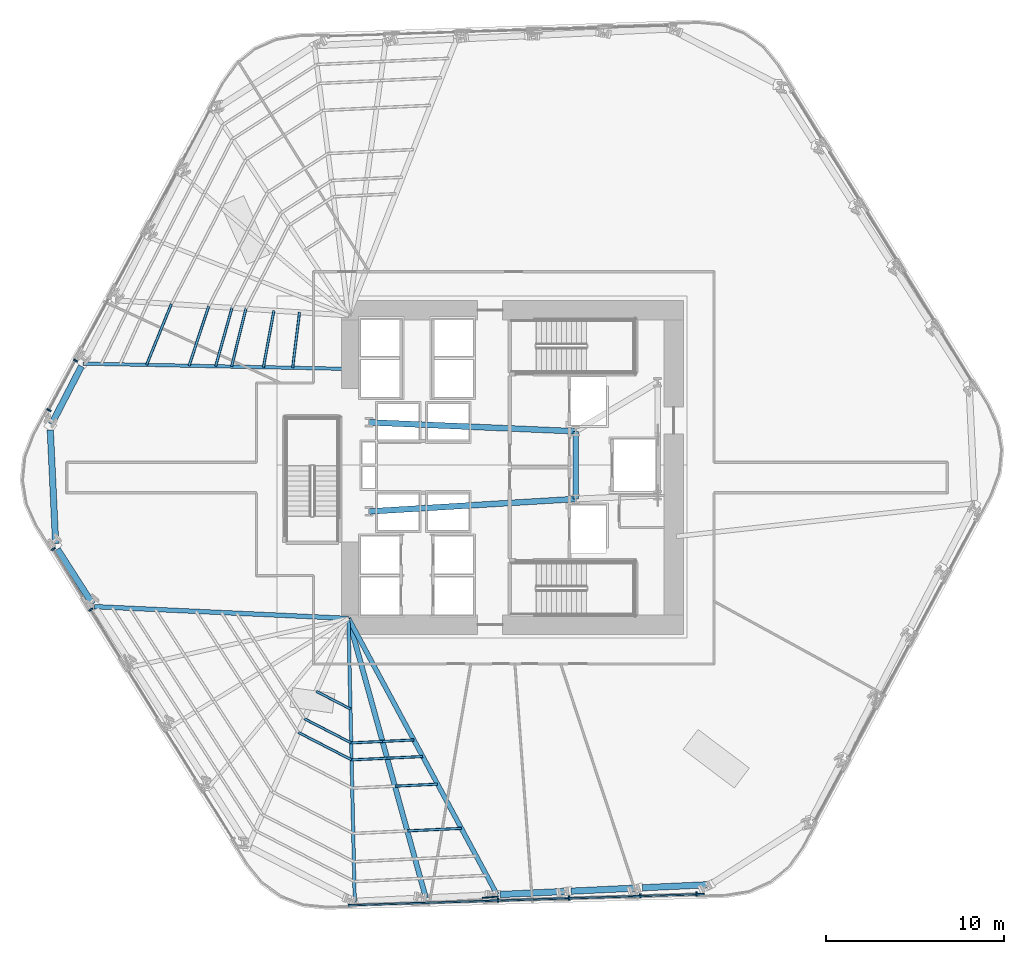
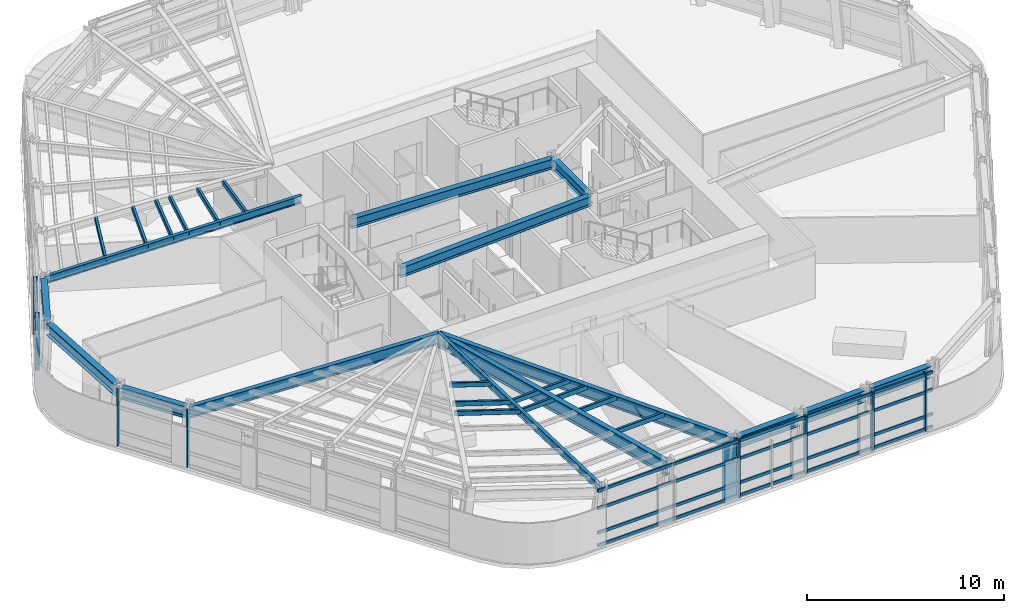
# One storey, part 3 of 15: 28 members, 14 beams, 3 elements without a shape of their own.
"""IFC4 building model written with IfcOpenShell, lengths in metres."""

from ifc_helpers import new_model, si_unit, direction, frame, origin, origin_2d, place, context, subcontext, project, spatial, rectangle, hollow_rectangle, i_section, extrude, material, layer, layer_set, material_profile, profile_set, type_object, element, aggregate, save


model = new_model("IFC4")

# Units and contexts
model_context = context("Model", 3, precision=1e-05, world=origin(), true_north=direction((0.0, 1.0)))
body_context = subcontext(model_context, "Body", "Model", "MODEL_VIEW")
ifc_project = project(units=[si_unit("LENGTHUNIT", "METRE"), si_unit("AREAUNIT", "SQUARE_METRE"), si_unit("VOLUMEUNIT", "CUBIC_METRE"), si_unit("PLANEANGLEUNIT", "RADIAN"), si_unit("MASSUNIT", "GRAM", prefix="KILO")], contexts=[model_context])

# Site, building, storey
site_placement = place(None, origin())
site = spatial("IfcSite", under=ifc_project, at=site_placement, CompositionType="ELEMENT")
building_placement = place(site_placement, origin())
building = spatial("IfcBuilding", under=site, at=building_placement, Name="Valkerne Bourse Tower", CompositionType="ELEMENT")
storey_placement = place(building_placement, frame((0.0, 0.0, 31.60009765625)))
storey = spatial("IfcBuildingStorey", under=building, at=storey_placement, Name="L07", CompositionType="ELEMENT", Elevation=31.60009765625)

# Beams
ifc_material_1 = material(Name="Steel ASTM A992", Category="steel")
ifc_material_profile_1 = material_profile(ifc_material_1, i_section(OverallWidth=0.1904296875, OverallDepth=0.457275390625, WebThickness=0.009033203125, FlangeThickness=0.014404296875, FilletRadius=0.01513671875, at=origin_2d()), Name="W18X50")
ifc_profile_set_1 = profile_set([ifc_material_profile_1], Name="Steel ASTM A992")
beam_type_1 = type_object("IfcBeamType", Name="BM-W18X50", PredefinedType="JOIST", material=ifc_profile_set_1)
beam_1_placement = place(storey_placement, frame((22.6953125, 32.696044921875, 3.351318359375), z_axis=(0.999802670641, -0.01986503914, 0.0), x_axis=(0.01986503914, 0.999802670641, 0.0)))
element("IfcBeam", 1, at=beam_1_placement, inside=storey, type_object=beam_type_1, Name="L07 Radial Composite Floor Beam 16", PredefinedType="JOIST", context=body_context, shape_type="SweptSolid", body=[
    extrude(i_section(OverallWidth=0.1904296875, OverallDepth=0.457275390625, WebThickness=0.009033203125, FlangeThickness=0.014404296875, FilletRadius=0.01513671875, at=origin_2d()), origin(), (0.0, 0.0, 1.0), 14.90771484375),
])
beam_2_placement = place(storey_placement, frame((37.953125, 2.52392578125, 3.351318359375), z_axis=(-0.022231079445, 0.999752859014, 0.0), x_axis=(-0.999752859014, -0.022231079445, 0.0)))
element("IfcBeam", 2, at=beam_2_placement, inside=storey, type_object=beam_type_1, Name="L07 Radial Composite Floor Beam 24", PredefinedType="JOIST", context=body_context, shape_type="SweptSolid", body=[
    extrude(i_section(OverallWidth=0.1904296875, OverallDepth=0.457275390625, WebThickness=0.009033203125, FlangeThickness=0.014404296875, FilletRadius=0.01513671875, at=origin_2d()), origin(), (0.0, 0.0, 1.0), 15.8798828125),
])
ifc_material_profile_2 = material_profile(ifc_material_1, i_section(OverallWidth=0.3251953125, OverallDepth=0.612060546875, WebThickness=0.0126953125, FlangeThickness=0.01904296875, FilletRadius=0.020263671875, at=origin_2d()), Name="W24X104")
ifc_profile_set_2 = profile_set([ifc_material_profile_2], Name="Steel ASTM A992")
beam_type_2 = type_object("IfcBeamType", Name="BM-W24X104", PredefinedType="BEAM", material=ifc_profile_set_2)
beam_3_placement = place(storey_placement, frame((50.35009765625, 25.10009765625, 3.27392578125), z_axis=(0.0, 1.0, 0.0), x_axis=(-1.0, 0.0, 0.0)))
element("IfcBeam", 3, at=beam_3_placement, inside=storey, type_object=beam_type_2, Name="L07 Core Frame Girder CG-CE", PredefinedType="BEAM", context=body_context, shape_type="SweptSolid", body=[
    extrude(i_section(OverallWidth=0.3251953125, OverallDepth=0.612060546875, WebThickness=0.0126953125, FlangeThickness=0.01904296875, FilletRadius=0.020263671875, at=origin_2d()), origin(), (0.0, 0.0, 1.0), 3.7998046875),
])
beam_4_placement = place(storey_placement, frame((38.75, 24.39990234375, 3.27392578125), z_axis=(0.998183228389, 0.060251494276, 0.0), x_axis=(-0.060251494276, 0.998183228389, 0.0)))
element("IfcBeam", 4, at=beam_4_placement, inside=storey, type_object=beam_type_2, Name="L07 Core Frame Girder CG-SW", PredefinedType="BEAM", context=body_context, shape_type="SweptSolid", body=[
    extrude(i_section(OverallWidth=0.3251953125, OverallDepth=0.612060546875, WebThickness=0.0126953125, FlangeThickness=0.01904296875, FilletRadius=0.020263671875, at=origin_2d()), origin(), (0.0, 0.0, 1.0), 11.62109375),
])
beam_5_placement = place(storey_placement, frame((38.75, 29.39990234375, 3.27392578125), z_axis=(0.999072354402, -0.043063101019, 0.0), x_axis=(0.043063101019, 0.999072354402, 0.0)))
element("IfcBeam", 5, at=beam_5_placement, inside=storey, type_object=beam_type_2, Name="L07 Core Frame Girder CG-NW", PredefinedType="BEAM", context=body_context, shape_type="SweptSolid", body=[
    extrude(i_section(OverallWidth=0.3251953125, OverallDepth=0.612060546875, WebThickness=0.0126953125, FlangeThickness=0.01904296875, FilletRadius=0.020263671875, at=origin_2d()), origin(), (0.0, 0.0, 1.0), 11.61083984375),
])
ifc_material_profile_3 = material_profile(ifc_material_1, i_section(OverallWidth=0.255859375, OverallDepth=0.693359375, WebThickness=0.014404296875, FlangeThickness=0.023681640625, FilletRadius=0.02294921875, at=origin_2d()), Name="W27X114")
ifc_profile_set_3 = profile_set([ifc_material_profile_3], Name="Steel ASTM A992")
beam_type_3 = type_object("IfcBeamType", Name="BM-W27X114", PredefinedType="BEAM", material=ifc_profile_set_3)
beam_6_placement = place(storey_placement, frame((23.33837890625, 19.060791015625, 3.233154296875), z_axis=(0.998928026328, -0.046290368517, 0.0), x_axis=(0.046290368517, 0.998928026328, 0.0)))
element("IfcBeam", 6, at=beam_6_placement, inside=storey, type_object=beam_type_3, Name="L07 Radial Composite Floor Beam 19", PredefinedType="BEAM", context=body_context, shape_type="SweptSolid", body=[
    extrude(i_section(OverallWidth=0.255859375, OverallDepth=0.693359375, WebThickness=0.014404296875, FlangeThickness=0.023681640625, FilletRadius=0.02294921875, at=origin_2d()), origin(), (0.0, 0.0, 1.0), 14.277099609375),
])
ifc_material_profile_4 = material_profile(ifc_material_1, i_section(OverallWidth=0.358154296875, OverallDepth=0.7060546875, WebThickness=0.018310546875, FlangeThickness=0.0302734375, FilletRadius=0.02294921875, at=origin_2d()), Name="W27X178")
ifc_profile_set_4 = profile_set([ifc_material_profile_4], Name="Steel ASTM A992")
beam_type_4 = type_object("IfcBeamType", Name="BM-W27X178", PredefinedType="SPANDREL", material=ifc_profile_set_4)
beam_7_placement = place(storey_placement, frame((22.617431640625, 32.544921875, 3.226806640625), z_axis=(-0.458636115682, -0.888624168809, 0.0), x_axis=(0.888624168809, -0.458636115682, 0.0)))
element("IfcBeam", 7, at=beam_7_placement, inside=storey, type_object=beam_type_4, Name="L07 Hexagonal Spandrel Ring Beam 16", PredefinedType="SPANDREL", context=body_context, shape_type="SweptSolid", body=[
    extrude(i_section(OverallWidth=0.358154296875, OverallDepth=0.7060546875, WebThickness=0.018310546875, FlangeThickness=0.0302734375, FilletRadius=0.02294921875, at=origin_2d()), origin(), (0.0, 0.0, 1.0), 3.656005859375),
])
beam_8_placement = place(storey_placement, frame((20.87060546875, 28.975341796875, 3.226806640625), z_axis=(0.047114904717, -0.998889476245, 0.0), x_axis=(0.998889476245, 0.047114904717, 0.0)))
element("IfcBeam", 8, at=beam_8_placement, inside=storey, type_object=beam_type_4, Name="L07 Hexagonal Spandrel Ring Beam 17", PredefinedType="SPANDREL", context=body_context, shape_type="SweptSolid", body=[
    extrude(i_section(OverallWidth=0.358154296875, OverallDepth=0.7060546875, WebThickness=0.018310546875, FlangeThickness=0.0302734375, FilletRadius=0.02294921875, at=origin_2d()), origin(), (0.0, 0.0, 1.0), 6.38916015625),
])
for number, where, z_axis, x_axis, name in (
    (9, (21.271484375, 22.280517578125, 3.226806640625), (0.540224232621, -0.841521109949, 0.0), (0.841521109949, 0.540224232621, 0.0), "L07 Hexagonal Spandrel Ring Beam 18"),
    (10, (46.106201171875, 2.908447265625, 3.226806640625), (0.998891135825, 0.047079706562, 0.0), (-0.047079706562, 0.998891135825, 0.0), "L07 Hexagonal Spandrel Ring Beam 26"),
    (11, (50.09765625, 3.0966796875, 3.226806640625), (0.998891135825, 0.047079706562, 0.0), (-0.047079706562, 0.998891135825, 0.0), "L07 Hexagonal Spandrel Ring Beam 27"),
):
    element("IfcBeam", number, at=place(storey_placement, frame(where, z_axis=z_axis, x_axis=x_axis)), inside=storey, type_object=beam_type_4, Name=name, PredefinedType="SPANDREL", context=body_context, shape_type="SweptSolid", body=[
        extrude(i_section(OverallWidth=0.358154296875, OverallDepth=0.7060546875, WebThickness=0.018310546875, FlangeThickness=0.0302734375, FilletRadius=0.02294921875, at=origin_2d()), origin(), (0.0, 0.0, 1.0), 3.656005859375),
    ])
beam_9_placement = place(storey_placement, frame((54.089111328125, 3.284912109375, 3.226806640625), z_axis=(0.998891283828, 0.047076566288, 0.0), x_axis=(-0.047076566288, 0.998891283828, 0.0)))
element("IfcBeam", 12, at=beam_9_placement, inside=storey, type_object=beam_type_4, Name="L07 Hexagonal Spandrel Ring Beam 28", PredefinedType="SPANDREL", context=body_context, shape_type="SweptSolid", body=[
    extrude(i_section(OverallWidth=0.358154296875, OverallDepth=0.7060546875, WebThickness=0.018310546875, FlangeThickness=0.0302734375, FilletRadius=0.02294921875, at=origin_2d()), origin(), (0.0, 0.0, 1.0), 3.65625),
])
ifc_material_profile_5 = material_profile(ifc_material_1, i_section(OverallWidth=0.26806640625, OverallDepth=0.76953125, WebThickness=0.015625, FlangeThickness=0.025390625, FilletRadius=0.025390625, at=origin_2d()), Name="W30X132")
ifc_profile_set_5 = profile_set([ifc_material_profile_5], Name="Steel ASTM A992")
beam_type_5 = type_object("IfcBeamType", Name="BM-W30X132", PredefinedType="BEAM", material=ifc_profile_set_5)
beam_10_placement = place(storey_placement, frame((45.936279296875, 2.900390625, 3.195068359375), z_axis=(-0.473672078113, 0.880701290118, 0.0), x_axis=(-0.880701290118, -0.473672078113, 0.0)))
element("IfcBeam", 13, at=beam_10_placement, inside=storey, type_object=beam_type_5, Name="L07 Radial Composite Floor Beam 26", PredefinedType="BEAM", context=body_context, shape_type="SweptSolid", body=[
    extrude(i_section(OverallWidth=0.26806640625, OverallDepth=0.76953125, WebThickness=0.015625, FlangeThickness=0.025390625, FilletRadius=0.025390625, at=origin_2d()), origin(), (0.0, 0.0, 1.0), 17.59912109375),
])
ifc_material_profile_6 = material_profile(ifc_material_1, i_section(OverallWidth=0.2919921875, OverallDepth=0.8583984375, WebThickness=0.01708984375, FlangeThickness=0.031005859375, FilletRadius=0.025390625, at=origin_2d()), Name="W33X169")
ifc_profile_set_6 = profile_set([ifc_material_profile_6], Name="Steel ASTM A992")
beam_type_6 = type_object("IfcBeamType", Name="BM-W33X169", PredefinedType="BEAM", material=ifc_profile_set_6)
beam_11_placement = place(storey_placement, frame((41.944580078125, 2.712158203125, 3.150634765625), z_axis=(-0.26688958388, 0.963727113874, 0.0), x_axis=(-0.963727113874, -0.26688958388, 0.0)))
element("IfcBeam", 14, at=beam_11_placement, inside=storey, type_object=beam_type_6, Name="L07 Radial Composite Floor Beam 25", PredefinedType="BEAM", context=body_context, shape_type="SweptSolid", body=[
    extrude(i_section(OverallWidth=0.2919921875, OverallDepth=0.8583984375, WebThickness=0.01708984375, FlangeThickness=0.031005859375, FilletRadius=0.025390625, at=origin_2d()), origin(), (0.0, 0.0, 1.0), 16.2783203125),
])

# Curtain wall, members
ifc_material_2 = material(Name="Aluminium AA 6063-T6", Category="aluminium")
ifc_layer = layer(ifc_material_2, 0.22509765625)
ifc_layer_set = layer_set([ifc_layer], Name="Aluminium AA 6063-T6")
curtain_wall_type = type_object("IfcCurtainWallType", Name="CW-01", PredefinedType="NOTDEFINED", material=ifc_layer_set)
curtain_wall_1_placement = place(storey_placement, origin())
curtain_wall_1 = element("IfcCurtainWall", 15, at=curtain_wall_1_placement, inside=storey, type_object=curtain_wall_type, Name="L07 Hexagonal Stick Curtain Wall Face 3", PredefinedType="NOTDEFINED")
ifc_material_profile_7 = material_profile(ifc_material_2, rectangle(XDim=0.090087890625, YDim=0.239990234375, at=origin_2d()), Name="CWM-90X240")
ifc_profile_set_7 = profile_set([ifc_material_profile_7], Name="Aluminium AA 6063-T6")
member_type_1 = type_object("IfcMemberType", Name="CW-MUL-240X90", PredefinedType="MULLION", material=ifc_profile_set_7)
member_1_placement = place(storey_placement, frame((22.289794921875, 32.864501953125, 0.0), z_axis=(0.0, 0.0, 1.0), x_axis=(-0.472547077315, -0.881305429304, 0.0)))
member_1 = element("IfcMember", 16, at=member_1_placement, type_object=member_type_1, Name="CW-L07-F3 Jamb Mullion 04A", PredefinedType="MULLION", context=body_context, shape_type="SweptSolid", body=[
    extrude(rectangle(XDim=0.090087890625, YDim=0.239990234375, at=origin_2d()), origin(), (0.0, 0.0, 1.0), 3.579833984375),
])
member_2_placement = place(storey_placement, frame((20.79833984375, 30.0830078125, 0.0), z_axis=(0.0, 0.0, 1.0), x_axis=(-0.472547077315, -0.881305429304, 0.0)))
member_2 = element("IfcMember", 17, at=member_2_placement, type_object=member_type_1, Name="CW-L07-F3 Jamb Mullion 04B", PredefinedType="MULLION", context=body_context, shape_type="SweptSolid", body=[
    extrude(rectangle(XDim=0.090087890625, YDim=0.239990234375, at=origin_2d()), origin(), (0.0, 0.0, 1.0), 3.579833984375),
])
aggregate(curtain_wall_1, [member_1, member_2])

curtain_wall_2_placement = place(storey_placement, origin())
curtain_wall_2 = element("IfcCurtainWall", 18, at=curtain_wall_2_placement, inside=storey, type_object=curtain_wall_type, Name="L07 Hexagonal Stick Curtain Wall Face 4", PredefinedType="NOTDEFINED")
member_3_placement = place(storey_placement, frame((21.043212890625, 22.290283203125, 0.0), z_axis=(0.0, 0.0, 1.0), x_axis=(0.526949791595, -0.849896415534, 0.0)))
member_3 = element("IfcMember", 19, at=member_3_placement, type_object=member_type_1, Name="CW-L07-F4 Jamb Mullion 00A", PredefinedType="MULLION", context=body_context, shape_type="SweptSolid", body=[
    extrude(rectangle(XDim=0.090087890625, YDim=0.239990234375, at=origin_2d()), origin(), (0.0, 0.0, 1.0), 3.579833984375),
])
member_4_placement = place(storey_placement, frame((23.14892578125, 18.894287109375, 0.0), z_axis=(0.0, 0.0, 1.0), x_axis=(0.52696099926, -0.849889466495, 0.0)))
member_4 = element("IfcMember", 20, at=member_4_placement, type_object=member_type_1, Name="CW-L07-F4 Jamb Mullion 01A", PredefinedType="MULLION", context=body_context, shape_type="SweptSolid", body=[
    extrude(rectangle(XDim=0.090087890625, YDim=0.239990234375, at=origin_2d()), origin(), (0.0, 0.0, 1.0), 3.579833984375),
])
aggregate(curtain_wall_2, [member_3, member_4])

curtain_wall_3_placement = place(storey_placement, origin())
curtain_wall_3 = element("IfcCurtainWall", 21, at=curtain_wall_3_placement, inside=storey, type_object=curtain_wall_type, Name="L07 Hexagonal Stick Curtain Wall Face 5", PredefinedType="NOTDEFINED")
member_5_placement = place(storey_placement, frame((45.98828125, 2.59033203125, 0.0), z_axis=(0.0, 0.0, 1.0), x_axis=(0.999506690045, 0.031406632347, 0.0)))
member_5 = element("IfcMember", 22, at=member_5_placement, type_object=member_type_1, Name="CW-L07-F5 Jamb Mullion 02A", PredefinedType="MULLION", context=body_context, shape_type="SweptSolid", body=[
    extrude(rectangle(XDim=0.090087890625, YDim=0.239990234375, at=origin_2d()), origin(), (0.0, 0.0, 1.0), 3.579833984375),
])
member_6_placement = place(storey_placement, frame((49.982421875, 2.7158203125, 0.0), z_axis=(0.0, 0.0, 1.0), x_axis=(0.999506690045, 0.031406632347, 0.0)))
member_6 = element("IfcMember", 23, at=member_6_placement, type_object=member_type_1, Name="CW-L07-F5 Jamb Mullion 03A", PredefinedType="MULLION", context=body_context, shape_type="SweptSolid", body=[
    extrude(rectangle(XDim=0.090087890625, YDim=0.239990234375, at=origin_2d()), origin(), (0.0, 0.0, 1.0), 3.579833984375),
])
member_7_placement = place(storey_placement, frame((53.976318359375, 2.84130859375, 0.0), z_axis=(0.0, 0.0, 1.0), x_axis=(0.999506690045, 0.031406632347, 0.0)))
member_7 = element("IfcMember", 24, at=member_7_placement, type_object=member_type_1, Name="CW-L07-F5 Jamb Mullion 04A", PredefinedType="MULLION", context=body_context, shape_type="SweptSolid", body=[
    extrude(rectangle(XDim=0.090087890625, YDim=0.239990234375, at=origin_2d()), origin(), (0.0, 0.0, 1.0), 3.579833984375),
])
member_8_placement = place(storey_placement, frame((57.130859375, 2.9404296875, 0.0), z_axis=(0.0, 0.0, 1.0), x_axis=(0.999506690045, 0.031406632347, 0.0)))
member_8 = element("IfcMember", 25, at=member_8_placement, type_object=member_type_1, Name="CW-L07-F5 Jamb Mullion 04B", PredefinedType="MULLION", context=body_context, shape_type="SweptSolid", body=[
    extrude(rectangle(XDim=0.090087890625, YDim=0.239990234375, at=origin_2d()), origin(), (0.0, 0.0, 1.0), 3.579833984375),
])
ifc_material_profile_8 = material_profile(ifc_material_2, rectangle(XDim=0.090087890625, YDim=0.179931640625, at=origin_2d()), Name="CWT-90X180")
ifc_profile_set_8 = profile_set([ifc_material_profile_8], Name="Aluminium AA 6063-T6")
member_type_2 = type_object("IfcMemberType", Name="CW-TRN-180X90", PredefinedType="USERDEFINED", material=ifc_profile_set_8)
member_9_placement = place(storey_placement, frame((37.5810546875, 2.30615234375, 0.119873046875), z_axis=(0.999506792704, 0.031403365085, 0.0), x_axis=(-0.031403365085, 0.999506792704, 0.0)))
member_9 = element("IfcMember", 26, at=member_9_placement, type_object=member_type_2, Name="CW-L07-F5 Continuous Face Transom 1", ObjectType="TRANSOM", PredefinedType="USERDEFINED", context=body_context, shape_type="SweptSolid", body=[
    extrude(rectangle(XDim=0.090087890625, YDim=0.179931640625, at=origin_2d()), origin(), (0.0, 0.0, 1.0), 19.97998046875),
])
member_10_placement = place(storey_placement, frame((37.5810546875, 2.30615234375, 0.89990234375), z_axis=(0.999506792704, 0.031403365085, 0.0), x_axis=(-0.031403365085, 0.999506792704, 0.0)))
member_10 = element("IfcMember", 27, at=member_10_placement, type_object=member_type_2, Name="CW-L07-F5 Continuous Face Transom 2", ObjectType="TRANSOM", PredefinedType="USERDEFINED", context=body_context, shape_type="SweptSolid", body=[
    extrude(rectangle(XDim=0.090087890625, YDim=0.179931640625, at=origin_2d()), origin(), (0.0, 0.0, 1.0), 19.97998046875),
])
member_11_placement = place(storey_placement, frame((37.5810546875, 2.30615234375, 2.39990234375), z_axis=(0.999506792704, 0.031403365085, 0.0), x_axis=(-0.031403365085, 0.999506792704, 0.0)))
member_11 = element("IfcMember", 28, at=member_11_placement, type_object=member_type_2, Name="CW-L07-F5 Continuous Face Transom 3", ObjectType="TRANSOM", PredefinedType="USERDEFINED", context=body_context, shape_type="SweptSolid", body=[
    extrude(rectangle(XDim=0.090087890625, YDim=0.179931640625, at=origin_2d()), origin(), (0.0, 0.0, 1.0), 19.97998046875),
])
member_12_placement = place(storey_placement, frame((37.5810546875, 2.30615234375, 3.5), z_axis=(0.999506792704, 0.031403365085, 0.0), x_axis=(-0.031403365085, 0.999506792704, 0.0)))
member_12 = element("IfcMember", 29, at=member_12_placement, type_object=member_type_2, Name="CW-L07-F5 Continuous Face Transom 4", ObjectType="TRANSOM", PredefinedType="USERDEFINED", context=body_context, shape_type="SweptSolid", body=[
    extrude(rectangle(XDim=0.090087890625, YDim=0.179931640625, at=origin_2d()), origin(), (0.0, 0.0, 1.0), 19.97998046875),
])
aggregate(curtain_wall_3, [member_9, member_10, member_11, member_12, member_5, member_6, member_7, member_8])

# Members
ifc_material_3 = material(Name="Bronze Anodised Aluminium AA 6063-T6", Category="aluminium")
ifc_material_profile_9 = material_profile(ifc_material_3, rectangle(XDim=0.070068359375, YDim=0.89990234375, at=origin_2d()), Name="FIN-70X900")
ifc_profile_set_9 = profile_set([ifc_material_profile_9], Name="Bronze Anodised Aluminium AA 6063-T6")
member_type_3 = type_object("IfcMemberType", Name="FIN-SOLAR-900", PredefinedType="USERDEFINED", material=ifc_profile_set_9)
member_13_placement = place(storey_placement, frame((45.56298828125, 2.757080078125, 0.00390625), z_axis=(0.0, 0.0, 1.0), x_axis=(0.083367084011, -0.996518905643, 0.0)))
element("IfcMember", 30, at=member_13_placement, inside=storey, type_object=member_type_3, Name="L07 Bronze Anodised Solar Fin F5-02", ObjectType="SOLAR_FIN", PredefinedType="USERDEFINED", context=body_context, shape_type="SweptSolid", body=[
    extrude(rectangle(XDim=0.070068359375, YDim=0.89990234375, at=origin_2d()), origin(), (0.0, 0.0, 1.0), 3.572021484375),
])
ifc_material_4 = material(Name="Steel ASTM A500 Grade C", Category="steel")
ifc_material_profile_10 = material_profile(ifc_material_4, hollow_rectangle(XDim=0.14990234375, YDim=0.300048828125, WallThickness=0.012451171875, OuterFilletRadius=0.02490234375, at=origin_2d()), Name="HSS300X150X12.5")
ifc_profile_set_10 = profile_set([ifc_material_profile_10], Name="Steel ASTM A500 Grade C")
member_type_4 = type_object("IfcMemberType", Name="MBR-HSS300X150X12.5", PredefinedType="PURLIN", material=ifc_profile_set_10)
member_14_placement = place(storey_placement, frame((33.4169921875, 35.6708984375, 3.419921875), z_axis=(-0.181558724858, -0.983380104247, 0.0), x_axis=(0.983380104247, -0.181558724858, 0.0)))
element("IfcMember", 31, at=member_14_placement, inside=storey, type_object=member_type_4, Name="L07 Secondary Composite Floor Purlin I-15", PredefinedType="PURLIN", context=body_context, shape_type="SweptSolid", body=[
    extrude(hollow_rectangle(XDim=0.14990234375, YDim=0.300048828125, WallThickness=0.012451171875, OuterFilletRadius=0.02490234375, at=origin_2d()), origin(), (0.0, 0.0, 1.0), 3.22998046875),
])
member_15_placement = place(storey_placement, frame((35.799560546875, 14.30712890625, 3.419921875), z_axis=(0.888616184876, -0.458651584513, 0.0), x_axis=(0.458651584513, 0.888616184876, 0.0)))
element("IfcMember", 32, at=member_15_placement, inside=storey, type_object=member_type_4, Name="L07 Secondary Composite Floor Purlin I-23", PredefinedType="PURLIN", context=body_context, shape_type="SweptSolid", body=[
    extrude(hollow_rectangle(XDim=0.14990234375, YDim=0.300048828125, WallThickness=0.012451171875, OuterFilletRadius=0.02490234375, at=origin_2d()), origin(), (0.0, 0.0, 1.0), 2.153076171875),
])
member_16_placement = place(storey_placement, frame((31.848388671875, 35.772705078125, 3.419921875), z_axis=(-0.241349136044, -0.970438351741, 0.0), x_axis=(0.970438351741, -0.241349136044, 0.0)))
element("IfcMember", 33, at=member_16_placement, inside=storey, type_object=member_type_4, Name="L07 Secondary Composite Floor Purlin K-15", PredefinedType="PURLIN", context=body_context, shape_type="SweptSolid", body=[
    extrude(hollow_rectangle(XDim=0.14990234375, YDim=0.300048828125, WallThickness=0.012451171875, OuterFilletRadius=0.02490234375, at=origin_2d()), origin(), (0.0, 0.0, 1.0), 3.34130859375),
])
member_17_placement = place(storey_placement, frame((35.12451171875, 12.7724609375, 3.419921875), z_axis=(0.88861415213, -0.458655522842, 0.0), x_axis=(0.458655522842, 0.88861415213, 0.0)))
element("IfcMember", 34, at=member_17_placement, inside=storey, type_object=member_type_4, Name="L07 Secondary Composite Floor Purlin K-23", PredefinedType="PURLIN", context=body_context, shape_type="SweptSolid", body=[
    extrude(hollow_rectangle(XDim=0.14990234375, YDim=0.300048828125, WallThickness=0.012451171875, OuterFilletRadius=0.02490234375, at=origin_2d()), origin(), (0.0, 0.0, 1.0), 2.960693359375),
])
for number, where, z_axis, x_axis, name in (
    (35, (37.75537109375, 11.41455078125, 3.419921875), (0.998891575816, 0.047070370337, 0.0), (-0.047070370337, 0.998891575816, 0.0), "L07 Secondary Composite Floor Purlin K-24"),
    (36, (39.51171875, 11.497314453125, 3.419921875), (0.998891575816, 0.047070370337, 0.0), (-0.047070370337, 0.998891575816, 0.0), "L07 Secondary Composite Floor Purlin K-25"),
):
    element("IfcMember", number, at=place(storey_placement, frame(where, z_axis=z_axis, x_axis=x_axis)), inside=storey, type_object=member_type_4, Name=name, PredefinedType="PURLIN", context=body_context, shape_type="SweptSolid", body=[
        extrude(hollow_rectangle(XDim=0.14990234375, YDim=0.300048828125, WallThickness=0.012451171875, OuterFilletRadius=0.02490234375, at=origin_2d()), origin(), (0.0, 0.0, 1.0), 1.75830078125),
    ])
member_18_placement = place(storey_placement, frame((31.064208984375, 35.823486328125, 3.419921875), z_axis=(-0.269464847187, -0.963010226389, 0.0), x_axis=(0.963010226389, -0.269464847187, 0.0)))
element("IfcMember", 37, at=member_18_placement, inside=storey, type_object=member_type_4, Name="L07 Secondary Composite Floor Purlin M-15", PredefinedType="PURLIN", context=body_context, shape_type="SweptSolid", body=[
    extrude(hollow_rectangle(XDim=0.14990234375, YDim=0.300048828125, WallThickness=0.012451171875, OuterFilletRadius=0.02490234375, at=origin_2d()), origin(), (0.0, 0.0, 1.0), 3.401123046875),
])
member_19_placement = place(storey_placement, frame((34.786865234375, 12.0048828125, 3.419921875), z_axis=(0.888635920937, -0.458613344792, 0.0), x_axis=(0.458613344792, 0.888635920937, 0.0)))
element("IfcMember", 38, at=member_19_placement, inside=storey, type_object=member_type_4, Name="L07 Secondary Composite Floor Purlin M-23", PredefinedType="PURLIN", context=body_context, shape_type="SweptSolid", body=[
    extrude(hollow_rectangle(XDim=0.14990234375, YDim=0.300048828125, WallThickness=0.012451171875, OuterFilletRadius=0.02490234375, at=origin_2d()), origin(), (0.0, 0.0, 1.0), 3.364501953125),
])
for number, where, z_axis, x_axis, name in (
    (39, (37.776611328125, 10.4619140625, 3.419921875), (0.998892881135, 0.04704266168, 0.0), (-0.04704266168, 0.998892881135, 0.0), "L07 Secondary Composite Floor Purlin M-24"),
    (40, (39.7724609375, 10.555908203125, 3.419921875), (0.998887132008, 0.047164578955, 0.0), (-0.047164578955, 0.998887132008, 0.0), "L07 Secondary Composite Floor Purlin M-25"),
):
    element("IfcMember", number, at=place(storey_placement, frame(where, z_axis=z_axis, x_axis=x_axis)), inside=storey, type_object=member_type_4, Name=name, PredefinedType="PURLIN", context=body_context, shape_type="SweptSolid", body=[
        extrude(hollow_rectangle(XDim=0.14990234375, YDim=0.300048828125, WallThickness=0.012451171875, OuterFilletRadius=0.02490234375, at=origin_2d()), origin(), (0.0, 0.0, 1.0), 1.998046875),
    ])
member_20_placement = place(storey_placement, frame((27.665283203125, 36.043701171875, 3.419921875), z_axis=(-0.377301088837, -0.926090648026, 0.0), x_axis=(0.926090648026, -0.377301088837, 0.0)))
element("IfcMember", 41, at=member_20_placement, inside=storey, type_object=member_type_4, Name="L07 Secondary Composite Floor Purlin O-15", PredefinedType="PURLIN", context=body_context, shape_type="SweptSolid", body=[
    extrude(hollow_rectangle(XDim=0.14990234375, YDim=0.300048828125, WallThickness=0.012451171875, OuterFilletRadius=0.02490234375, at=origin_2d()), origin(), (0.0, 0.0, 1.0), 3.691650390625),
])
member_21_placement = place(storey_placement, frame((40.902099609375, 6.477294921875, 3.419921875), z_axis=(0.998889678721, 0.047110611809, 0.0), x_axis=(-0.047110611809, 0.998889678721, 0.0)))
element("IfcMember", 42, at=member_21_placement, inside=storey, type_object=member_type_4, Name="L07 Secondary Composite Floor Purlin O-25", PredefinedType="PURLIN", context=body_context, shape_type="SweptSolid", body=[
    extrude(hollow_rectangle(XDim=0.14990234375, YDim=0.300048828125, WallThickness=0.012451171875, OuterFilletRadius=0.02490234375, at=origin_2d()), origin(), (0.0, 0.0, 1.0), 3.036865234375),
])
member_22_placement = place(storey_placement, frame((29.7568359375, 35.908203125, 3.419921875), z_axis=(-0.313511782263, -0.949584310308, 0.0), x_axis=(0.949584310308, -0.313511782263, 0.0)))
element("IfcMember", 43, at=member_22_placement, inside=storey, type_object=member_type_4, Name="L07 Secondary Composite Floor Purlin Z-15", PredefinedType="PURLIN", context=body_context, shape_type="SweptSolid", body=[
    extrude(hollow_rectangle(XDim=0.14990234375, YDim=0.300048828125, WallThickness=0.012451171875, OuterFilletRadius=0.02490234375, at=origin_2d()), origin(), (0.0, 0.0, 1.0), 3.50732421875),
])
member_23_placement = place(storey_placement, frame((40.206787109375, 8.9873046875, 3.419921875), z_axis=(0.998892881135, 0.04704266168, 0.0), x_axis=(-0.04704266168, 0.998892881135, 0.0)))
element("IfcMember", 44, at=member_23_placement, inside=storey, type_object=member_type_4, Name="L07 Secondary Composite Floor Purlin Z-25", PredefinedType="PURLIN", context=body_context, shape_type="SweptSolid", body=[
    extrude(hollow_rectangle(XDim=0.14990234375, YDim=0.300048828125, WallThickness=0.012451171875, OuterFilletRadius=0.02490234375, at=origin_2d()), origin(), (0.0, 0.0, 1.0), 2.397705078125),
])
member_24_placement = place(storey_placement, frame((34.85498046875, 35.577880859375, 3.419921875), z_axis=(-0.122637213754, -0.992451567485, 0.0), x_axis=(0.992451567485, -0.122637213754, 0.0)))
element("IfcMember", 45, at=member_24_placement, inside=storey, type_object=member_type_4, Name="L07 Secondary Composite Floor Purlin S-15", PredefinedType="PURLIN", context=body_context, shape_type="SweptSolid", body=[
    extrude(hollow_rectangle(XDim=0.14990234375, YDim=0.300048828125, WallThickness=0.012451171875, OuterFilletRadius=0.02490234375, at=origin_2d()), origin(), (0.0, 0.0, 1.0), 3.139404296875),
])

save(model, "model.ifc")
